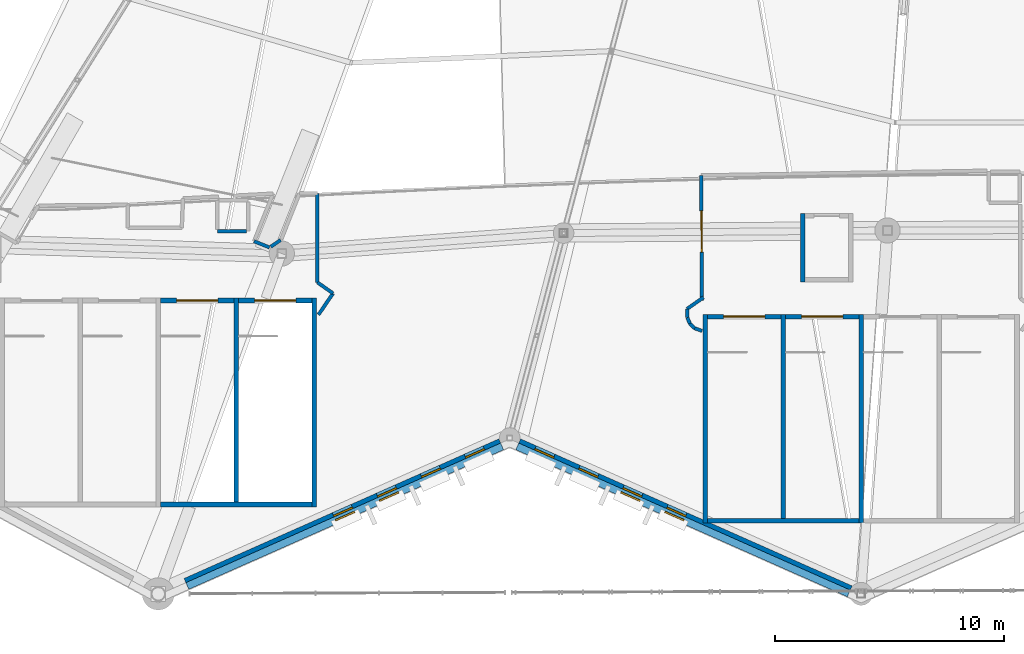
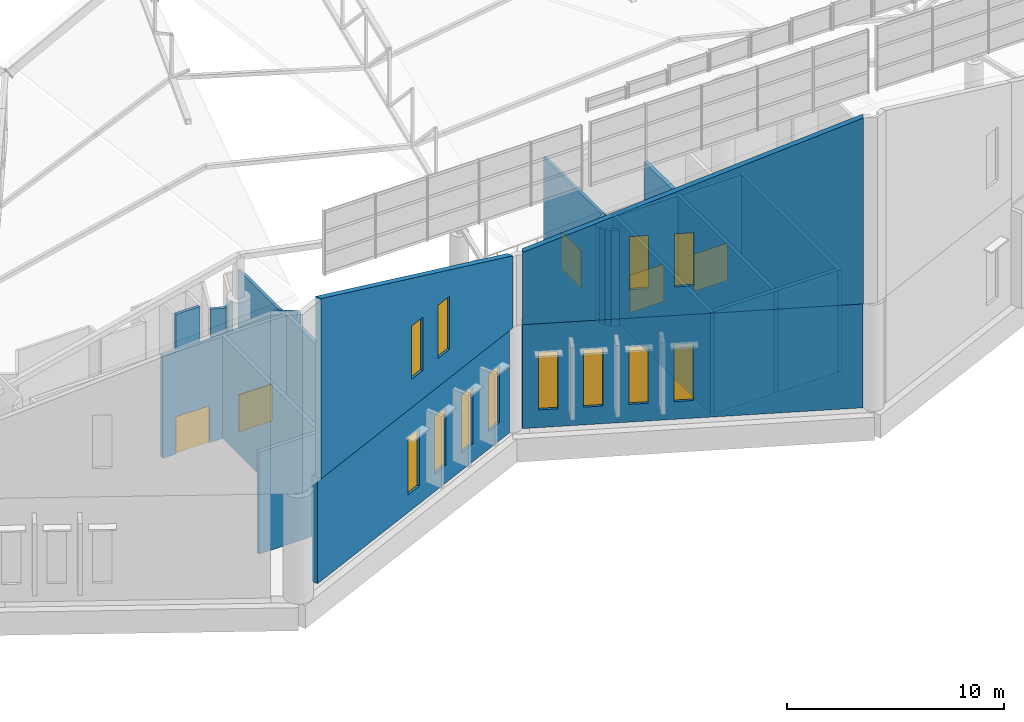
# One storey, part 247 of 344: 28 walls, 12 windows, 5 doors, 17 openings.
"""IFC4 building model written with IfcOpenShell, lengths in metres."""

from ifc_helpers import new_model, si_unit, direction, frame, frame_2d, origin, place, context, subcontext, project, spatial, polyline, rectangle, outline, extrude, material, layer, layer_set, type_object, element, fill, save


model = new_model("IFC4")

# Units and contexts
model_context = context("Model", 3, precision=1e-05, world=origin(), true_north=direction((0.0, 1.0)))
body_context = subcontext(model_context, "Body", "Model", "MODEL_VIEW")
ifc_project = project(units=[si_unit("LENGTHUNIT", "METRE"), si_unit("AREAUNIT", "SQUARE_METRE"), si_unit("VOLUMEUNIT", "CUBIC_METRE"), si_unit("PLANEANGLEUNIT", "RADIAN"), si_unit("MASSUNIT", "GRAM", prefix="KILO")], contexts=[model_context])

# Site, building, storey
site_placement = place(None, origin())
site = spatial("IfcSite", under=ifc_project, at=site_placement, CompositionType="ELEMENT")
building_placement = place(site_placement, origin())
building = spatial("IfcBuilding", under=site, at=building_placement, Name="Meseta Stadium", CompositionType="ELEMENT")
storey_placement = place(building_placement, frame((0.0, 0.0, 24.0)))
storey = spatial("IfcBuildingStorey", under=building, at=storey_placement, Name="L04", CompositionType="ELEMENT", Elevation=24.0)

# Walls
ifc_material_1 = material(Name="Concrete C40/50", Category="concrete")
ifc_layer_1 = layer(ifc_material_1, 0.199951171875)
ifc_layer_set_1 = layer_set([ifc_layer_1], Name="Core divider wall 200")
wall_type_1 = type_object("IfcWallType", Name="Core divider wall 200", PredefinedType="SHEAR", material=ifc_layer_set_1)
for number, where, z_axis, x_axis, name in (
    (1, (-34.933349609375, -101.60009765625, 0.0), (0.0, 0.0, 1.0), (0.0, 1.0, 0.0), "Core 23 L04 stair B divider wall"),
    (2, (-11.066650390625, -102.300048828125, 0.0), (0.0, 0.0, 1.0), (0.0, 1.0, 0.0), "Core 24 L04 stair A divider wall"),
):
    element("IfcWall", number, at=place(storey_placement, frame(where, z_axis=z_axis, x_axis=x_axis)), inside=storey, type_object=wall_type_1, Name=name, PredefinedType="SHEAR", context=body_context, shape_type="SweptSolid", body=[
        extrude(rectangle(XDim=9.10009765625, YDim=0.199951171875, at=frame_2d((4.550048828125, 0.0))), origin(), (0.0, 0.0, 1.0), 5.75),
    ])
ifc_material_2 = material(Name="Concrete C40/50", Category="concrete")
ifc_layer_2 = layer(ifc_material_2, 0.199951171875)
ifc_layer_set_2 = layer_set([ifc_layer_2], Name="Core shaft wall 200")
wall_type_2 = type_object("IfcWallType", Name="Core shaft wall 200", PredefinedType="SHEAR", material=ifc_layer_set_2)
wall_1_placement = place(storey_placement, frame((-31.533203125, -101.60009765625, 0.0), z_axis=(0.0, 0.0, 1.0), x_axis=(0.0, 1.0, 0.0)))
element("IfcWall", 3, at=wall_1_placement, inside=storey, type_object=wall_type_2, Name="Core 23 L04 stair wall B-side", PredefinedType="SHEAR", context=body_context, shape_type="SweptSolid", body=[
    extrude(rectangle(XDim=9.10009765625, YDim=0.199951171875, at=frame_2d((4.550048828125, 0.0))), origin(), (0.0, 0.0, 1.0), 5.75),
])
wall_2_placement = place(storey_placement, frame((-38.2333984375, -101.5, 0.0), z_axis=(0.0, 0.0, 1.0), x_axis=(1.0, 0.0, 0.0)))
element("IfcWall", 4, at=wall_2_placement, inside=storey, type_object=wall_type_2, Name="Core 23 L04 stair B outer end wall", PredefinedType="SHEAR", context=body_context, shape_type="SweptSolid", body=[
    extrude(rectangle(XDim=6.60009765625, YDim=0.199951171875, at=frame_2d((3.300048828125, 0.0))), origin(), (0.0, 0.0, 1.0), 5.75),
])

# Wall, opening, door
wall_3_placement = place(storey_placement, frame((-38.2333984375, -92.60009765625, 0.0), z_axis=(0.0, 0.0, 1.0), x_axis=(1.0, 0.0, 0.0)))
wall_3 = element("IfcWall", 5, at=wall_3_placement, inside=storey, type_object=wall_type_2, Name="Core 23 L04 stair B1 inner end wall", PredefinedType="SHEAR", context=body_context, shape_type="SweptSolid", body=[
    extrude(rectangle(XDim=3.2001953125, YDim=0.199951171875, at=frame_2d((1.60009765625, 0.0))), origin(), (0.0, 0.0, 1.0), 5.75),
])
opening_1_placement = place(wall_3_placement, frame((0.699951171875, 0.0, 0.0)))
opening_1 = element("IfcOpeningElement", 6, at=opening_1_placement, cuts=wall_3, Name="Opening D1574", PredefinedType="OPENING", context=body_context, shape_type="SweptSolid", body=[
    extrude(rectangle(XDim=1.800048828125, YDim=2.10009765625, at=frame_2d((0.89990234375, 1.050048828125))), frame((0.0, 0.10986328125, 0.0), z_axis=(0.0, -1.0, 0.0), x_axis=(1.0, 0.0, 0.0)), (0.0, 0.0, 1.0), 0.219970703125),
])
ifc_material_3 = material(Name="Steel", Category="steel")
door_type_1 = type_object("IfcDoorType", Name="Stair door 1800x2100", OperationType="DOUBLE_DOOR_SINGLE_SWING", PredefinedType="DOOR", material=ifc_material_3)
door_1_placement = place(opening_1_placement, origin())
door_1 = element("IfcDoor", 7, at=door_1_placement, inside=storey, type_object=door_type_1, Name="Stair B1 door 23 L04", OperationType="DOUBLE_DOOR_SINGLE_SWING", OverallHeight=2.10009765625, OverallWidth=1.800048828125, PredefinedType="DOOR", context=body_context, shape_type="SweptSolid", body=[
    extrude(rectangle(XDim=1.800048828125, YDim=2.10009765625, at=frame_2d((0.89990234375, 1.050048828125))), frame((0.0, 0.02490234375, 0.0), z_axis=(0.0, -1.0, 0.0), x_axis=(1.0, 0.0, 0.0)), (0.0, 0.0, 1.0), 0.050048828125),
])
fill(opening_1, door_1)

wall_4_placement = place(storey_placement, frame((-34.833251953125, -92.60009765625, 0.0), z_axis=(0.0, 0.0, 1.0), x_axis=(1.0, 0.0, 0.0)))
wall_4 = element("IfcWall", 8, at=wall_4_placement, inside=storey, type_object=wall_type_2, Name="Core 23 L04 stair B2 inner end wall", PredefinedType="SHEAR", context=body_context, shape_type="SweptSolid", body=[
    extrude(rectangle(XDim=3.199951171875, YDim=0.199951171875, at=frame_2d((1.60009765625, 0.0))), origin(), (0.0, 0.0, 1.0), 5.75),
])
opening_2_placement = place(wall_4_placement, frame((0.699951171875, 0.0, 0.0)))
opening_2 = element("IfcOpeningElement", 9, at=opening_2_placement, cuts=wall_4, Name="Opening D1576", PredefinedType="OPENING", context=body_context, shape_type="SweptSolid", body=[
    extrude(rectangle(XDim=1.800048828125, YDim=2.10009765625, at=frame_2d((0.89990234375, 1.050048828125))), frame((0.0, 0.10986328125, 0.0), z_axis=(0.0, -1.0, 0.0), x_axis=(1.0, 0.0, 0.0)), (0.0, 0.0, 1.0), 0.219970703125),
])
door_2_placement = place(opening_2_placement, origin())
door_2 = element("IfcDoor", 10, at=door_2_placement, inside=storey, type_object=door_type_1, Name="Stair B2 door 23 L04", OperationType="DOUBLE_DOOR_SINGLE_SWING", OverallHeight=2.10009765625, OverallWidth=1.800048828125, PredefinedType="DOOR", context=body_context, shape_type="SweptSolid", body=[
    extrude(rectangle(XDim=1.800048828125, YDim=2.10009765625, at=frame_2d((0.89990234375, 1.050048828125))), frame((0.0, 0.02490234375, 0.0), z_axis=(0.0, -1.0, 0.0), x_axis=(1.0, 0.0, 0.0)), (0.0, 0.0, 1.0), 0.050048828125),
])
fill(opening_2, door_2)

# Walls
for number, where, z_axis, x_axis, name in (
    (11, (-14.466796875, -102.300048828125, 0.0), (0.0, 0.0, 1.0), (0.0, 1.0, 0.0), "Core 24 L04 stair wall A-side"),
    (12, (-7.666748046875, -102.300048828125, 0.0), (0.0, 0.0, 1.0), (0.0, 1.0, 0.0), "Core 24 L04 stair wall shared"),
):
    element("IfcWall", number, at=place(storey_placement, frame(where, z_axis=z_axis, x_axis=x_axis)), inside=storey, type_object=wall_type_2, Name=name, PredefinedType="SHEAR", context=body_context, shape_type="SweptSolid", body=[
        extrude(rectangle(XDim=9.10009765625, YDim=0.199951171875, at=frame_2d((4.550048828125, 0.0))), origin(), (0.0, 0.0, 1.0), 5.75),
    ])
wall_5_placement = place(storey_placement, frame((-14.36669921875, -102.199951171875, 0.0), z_axis=(0.0, 0.0, 1.0), x_axis=(1.0, 0.0, 0.0)))
element("IfcWall", 13, at=wall_5_placement, inside=storey, type_object=wall_type_2, Name="Core 24 L04 stair A outer end wall", PredefinedType="SHEAR", context=body_context, shape_type="SweptSolid", body=[
    extrude(rectangle(XDim=6.60009765625, YDim=0.199951171875, at=frame_2d((3.300048828125, 0.0))), origin(), (0.0, 0.0, 1.0), 5.75),
])

# Wall, opening, door
wall_6_placement = place(storey_placement, frame((-14.36669921875, -93.300048828125, 0.0), z_axis=(0.0, 0.0, 1.0), x_axis=(1.0, 0.0, 0.0)))
wall_6 = element("IfcWall", 14, at=wall_6_placement, inside=storey, type_object=wall_type_2, Name="Core 24 L04 stair A1 inner end wall", PredefinedType="SHEAR", context=body_context, shape_type="SweptSolid", body=[
    extrude(rectangle(XDim=3.199951171875, YDim=0.199951171875, at=frame_2d((1.60009765625, 0.0))), origin(), (0.0, 0.0, 1.0), 5.75),
])
opening_3_placement = place(wall_6_placement, frame((0.699951171875, 0.0, 0.0)))
opening_3 = element("IfcOpeningElement", 15, at=opening_3_placement, cuts=wall_6, Name="Opening D1584", PredefinedType="OPENING", context=body_context, shape_type="SweptSolid", body=[
    extrude(rectangle(XDim=1.800048828125, YDim=2.10009765625, at=frame_2d((0.89990234375, 1.050048828125))), frame((0.0, 0.10986328125, 0.0), z_axis=(0.0, -1.0, 0.0), x_axis=(1.0, 0.0, 0.0)), (0.0, 0.0, 1.0), 0.219970703125),
])
door_3_placement = place(opening_3_placement, origin())
door_3 = element("IfcDoor", 16, at=door_3_placement, inside=storey, type_object=door_type_1, Name="Stair A1 door 24 L04", OperationType="DOUBLE_DOOR_SINGLE_SWING", OverallHeight=2.10009765625, OverallWidth=1.800048828125, PredefinedType="DOOR", context=body_context, shape_type="SweptSolid", body=[
    extrude(rectangle(XDim=1.800048828125, YDim=2.10009765625, at=frame_2d((0.89990234375, 1.050048828125))), frame((0.0, 0.02490234375, 0.0), z_axis=(0.0, -1.0, 0.0), x_axis=(1.0, 0.0, 0.0)), (0.0, 0.0, 1.0), 0.050048828125),
])
fill(opening_3, door_3)

wall_7_placement = place(storey_placement, frame((-10.966796875, -93.300048828125, 0.0), z_axis=(0.0, 0.0, 1.0), x_axis=(1.0, 0.0, 0.0)))
wall_7 = element("IfcWall", 17, at=wall_7_placement, inside=storey, type_object=wall_type_2, Name="Core 24 L04 stair A2 inner end wall", PredefinedType="SHEAR", context=body_context, shape_type="SweptSolid", body=[
    extrude(rectangle(XDim=3.2001953125, YDim=0.199951171875, at=frame_2d((1.60009765625, 0.0))), origin(), (0.0, 0.0, 1.0), 5.75),
])
opening_4_placement = place(wall_7_placement, frame((0.699951171875, 0.0, 0.0)))
opening_4 = element("IfcOpeningElement", 18, at=opening_4_placement, cuts=wall_7, Name="Opening D1585", PredefinedType="OPENING", context=body_context, shape_type="SweptSolid", body=[
    extrude(rectangle(XDim=1.800048828125, YDim=2.10009765625, at=frame_2d((0.89990234375, 1.050048828125))), frame((0.0, 0.10986328125, 0.0), z_axis=(0.0, -1.0, 0.0), x_axis=(1.0, 0.0, 0.0)), (0.0, 0.0, 1.0), 0.219970703125),
])
door_4_placement = place(opening_4_placement, origin())
door_4 = element("IfcDoor", 19, at=door_4_placement, inside=storey, type_object=door_type_1, Name="Stair A2 door 24 L04", OperationType="DOUBLE_DOOR_SINGLE_SWING", OverallHeight=2.10009765625, OverallWidth=1.800048828125, PredefinedType="DOOR", context=body_context, shape_type="SweptSolid", body=[
    extrude(rectangle(XDim=1.800048828125, YDim=2.10009765625, at=frame_2d((0.89990234375, 1.050048828125))), frame((0.0, 0.02490234375, 0.0), z_axis=(0.0, -1.0, 0.0), x_axis=(1.0, 0.0, 0.0)), (0.0, 0.0, 1.0), 0.050048828125),
])
fill(opening_4, door_4)

# Walls
wall_8_placement = place(storey_placement, frame((-10.216796875, -91.800048828125, 0.0), z_axis=(0.0, 0.0, 1.0), x_axis=(0.0, 1.0, 0.0)))
element("IfcWall", 20, at=wall_8_placement, inside=storey, type_object=wall_type_2, Name="Core 24 L04 lift shaft wall left", PredefinedType="SHEAR", context=body_context, shape_type="SweptSolid", body=[
    extrude(rectangle(XDim=3.0, YDim=0.199951171875, at=frame_2d((1.5, 0.0))), origin(), (0.0, 0.0, 1.0), 4.60009765625),
])
ifc_material_4 = material(Name="Masonry blockwork", Category="masonry")
ifc_layer_3 = layer(ifc_material_4, 0.14990234375)
ifc_layer_set_3 = layer_set([ifc_layer_3], Name="Partition 150")
wall_type_3 = type_object("IfcWallType", Name="Partition 150", PredefinedType="PARTITIONING", material=ifc_layer_set_3)
wall_9_placement = place(storey_placement, frame((-35.75830078125, -89.576171875, 0.0), z_axis=(0.0, 0.0, 1.0), x_axis=(1.0, 0.0, 0.0)))
element("IfcWall", 21, at=wall_9_placement, inside=storey, type_object=wall_type_3, Name="Pressurisation shaft wall L04 core 23", PredefinedType="PARTITIONING", context=body_context, shape_type="SweptSolid", body=[
    extrude(rectangle(XDim=1.27490234375, YDim=0.14990234375, at=frame_2d((0.637451171875, 0.0))), origin(), (0.0, 0.0, 1.0), 5.39990234375),
])
wall_10_placement = place(storey_placement, frame((-31.34375, -93.2197265625, 0.0), z_axis=(0.0, 0.0, 1.0), x_axis=(0.562120553728, 0.827055308354, 0.0)))
element("IfcWall", 22, at=wall_10_placement, inside=storey, type_object=wall_type_3, Name="Stair vestibule wall L04 core 23", PredefinedType="PARTITIONING", context=body_context, shape_type="SweptSolid", body=[
    extrude(rectangle(XDim=1.1279296875, YDim=0.14990234375, at=frame_2d((0.56396484375, 0.0))), origin(), (0.0, 0.0, 1.0), 5.39990234375),
])
wall_11_placement = place(storey_placement, frame((-30.709716796875, -92.286865234375, 0.0), z_axis=(0.0, 0.0, 1.0), x_axis=(-0.817888493872, 0.575376756214, 0.0)))
element("IfcWall", 23, at=wall_11_placement, inside=storey, type_object=wall_type_3, Name="Stair vestibule wall L04 core 23", PredefinedType="PARTITIONING", context=body_context, shape_type="SweptSolid", body=[
    extrude(rectangle(XDim=0.82958984375, YDim=0.14990234375, at=frame_2d((0.414794921875, 0.0))), origin(), (0.0, 0.0, 1.0), 5.39990234375),
])
wall_12_placement = place(storey_placement, frame((-31.38818359375, -91.8095703125, 0.0), z_axis=(0.0, 0.0, 1.0), x_axis=(0.0, 1.0, 0.0)))
element("IfcWall", 24, at=wall_12_placement, inside=storey, type_object=wall_type_3, Name="Stair vestibule wall L04 core 23", PredefinedType="PARTITIONING", context=body_context, shape_type="SweptSolid", body=[
    extrude(rectangle(XDim=3.884521484375, YDim=0.14990234375, at=frame_2d((1.9423828125, 0.0))), origin(), (0.0, 0.0, 1.0), 5.39990234375),
])
wall_13_placement = place(storey_placement, frame((-33.4833984375, -90.281005859375, 0.0), z_axis=(0.0, 0.0, 1.0), x_axis=(-0.929154097391, 0.369692660599, 0.0)))
element("IfcWall", 25, at=wall_13_placement, inside=storey, type_object=wall_type_3, Name="Stair vestibule wall L04 core 23", PredefinedType="PARTITIONING", context=body_context, shape_type="SweptSolid", body=[
    extrude(rectangle(XDim=0.71923828125, YDim=0.14990234375, at=frame_2d((0.359619140625, 0.0))), origin(), (0.0, 0.0, 1.0), 5.39990234375),
])
wall_14_placement = place(storey_placement, frame((-32.994384765625, -89.960693359375, 0.0), z_axis=(0.0, 0.0, 1.0), x_axis=(-0.828430407169, -0.560092010726, 0.0)))
element("IfcWall", 26, at=wall_14_placement, inside=storey, type_object=wall_type_3, Name="Stair vestibule wall L04 core 23", PredefinedType="PARTITIONING", context=body_context, shape_type="SweptSolid", body=[
    extrude(rectangle(XDim=0.521240234375, YDim=0.14990234375, at=frame_2d((0.2607421875, 0.0))), origin(), (0.0, 0.0, 1.0), 5.39990234375),
])
wall_15_placement = place(storey_placement, frame((-14.547119140625, -92.4638671875, 0.0), z_axis=(0.0, 0.0, 1.0), x_axis=(-0.817670329912, -0.57568674779, 0.0)))
element("IfcWall", 27, at=wall_15_placement, inside=storey, type_object=wall_type_3, Name="Stair vestibule wall L04 core 24", PredefinedType="PARTITIONING", context=body_context, shape_type="SweptSolid", body=[
    extrude(rectangle(XDim=0.875732421875, YDim=0.14990234375, at=frame_2d((0.43798828125, 0.0))), origin(), (0.0, 0.0, 1.0), 5.39990234375),
])
wall_16_placement = place(storey_placement, frame((-15.26318359375, -92.968017578125, 0.0), z_axis=(0.0, 0.0, 1.0), x_axis=(0.039007374993, -0.999238922729, 0.0)))
element("IfcWall", 28, at=wall_16_placement, inside=storey, type_object=wall_type_3, Name="Stair vestibule wall L04 core 24", PredefinedType="PARTITIONING", context=body_context, shape_type="SweptSolid", body=[
    extrude(rectangle(XDim=0.37548828125, YDim=0.14990234375, at=frame_2d((0.187744140625, 0.0))), origin(), (0.0, 0.0, 1.0), 5.39990234375),
])
wall_17_placement = place(storey_placement, frame((-15.24853515625, -93.34326171875, 0.0), z_axis=(0.0, 0.0, 1.0), x_axis=(0.382275228123, -0.924048510611, 0.0)))
element("IfcWall", 29, at=wall_17_placement, inside=storey, type_object=wall_type_3, Name="Stair vestibule wall L04 core 24", PredefinedType="PARTITIONING", context=body_context, shape_type="SweptSolid", body=[
    extrude(rectangle(XDim=0.28173828125, YDim=0.14990234375, at=frame_2d((0.140869140625, 0.0))), origin(), (0.0, 0.0, 1.0), 5.39990234375),
])
wall_18_placement = place(storey_placement, frame((-15.140869140625, -93.603515625, 0.0), z_axis=(0.0, 0.0, 1.0), x_axis=(0.707106781187, -0.707106781187, 0.0)))
element("IfcWall", 30, at=wall_18_placement, inside=storey, type_object=wall_type_3, Name="Stair vestibule wall L04 core 24", PredefinedType="PARTITIONING", context=body_context, shape_type="SweptSolid", body=[
    extrude(rectangle(XDim=0.28515625, YDim=0.14990234375, at=frame_2d((0.142578125, 0.0))), origin(), (0.0, 0.0, 1.0), 5.39990234375),
])
wall_19_placement = place(storey_placement, frame((-14.939208984375, -93.80517578125, 0.0), z_axis=(0.0, 0.0, 1.0), x_axis=(0.937897537761, -0.346912393353, 0.0)))
element("IfcWall", 31, at=wall_19_placement, inside=storey, type_object=wall_type_3, Name="Stair vestibule wall L04 core 24", PredefinedType="PARTITIONING", context=body_context, shape_type="SweptSolid", body=[
    extrude(rectangle(XDim=0.356201171875, YDim=0.14990234375, at=frame_2d((0.17822265625, 0.0))), origin(), (0.0, 0.0, 1.0), 5.39990234375),
])

# Wall, opening, door
wall_20_placement = place(storey_placement, frame((-14.64208984375, -87.141845703125, 0.0), z_axis=(0.0, 0.0, 1.0), x_axis=(0.005602780728, -0.999984304301, 0.0)))
wall_20 = element("IfcWall", 32, at=wall_20_placement, inside=storey, type_object=wall_type_3, Name="Stair vestibule wall L04 core 24", PredefinedType="PARTITIONING", context=body_context, shape_type="SweptSolid", body=[
    extrude(rectangle(XDim=5.44677734375, YDim=0.14990234375, at=frame_2d((2.723388671875, 0.0))), origin(), (0.0, 0.0, 1.0), 5.39990234375),
])
opening_5_placement = place(wall_20_placement, frame((1.550048828125, 0.0, 0.0)))
opening_5 = element("IfcOpeningElement", 33, at=opening_5_placement, cuts=wall_20, Name="Opening D1583", PredefinedType="OPENING", context=body_context, shape_type="SweptSolid", body=[
    extrude(rectangle(XDim=1.800048828125, YDim=2.10009765625, at=frame_2d((0.89990234375, 1.050048828125))), frame((0.0, 0.0849609375, 0.0), z_axis=(0.0, -1.0, 0.0), x_axis=(1.0, 0.0, 0.0)), (0.0, 0.0, 1.0), 0.169921875),
])
ifc_material_5 = material(Name="Steel", Category="steel")
door_type_2 = type_object("IfcDoorType", Name="Fire double door 1800x2100 EI2 60", OperationType="DOUBLE_DOOR_SINGLE_SWING", PredefinedType="DOOR", material=ifc_material_5)
door_5_placement = place(opening_5_placement, origin())
door_5 = element("IfcDoor", 34, at=door_5_placement, inside=storey, type_object=door_type_2, Name="Stair vestibule door L04 core 24", OperationType="DOUBLE_DOOR_SINGLE_SWING", OverallHeight=2.10009765625, OverallWidth=1.800048828125, PredefinedType="DOOR", context=body_context, shape_type="SweptSolid", body=[
    extrude(rectangle(XDim=1.800048828125, YDim=2.10009765625, at=frame_2d((0.89990234375, 1.050048828125))), frame((0.0, 0.02490234375, 0.0), z_axis=(0.0, -1.0, 0.0), x_axis=(1.0, 0.0, 0.0)), (0.0, 0.0, 1.0), 0.050048828125),
])
fill(opening_5, door_5)

# Wall, openings, windows
ifc_material_6 = material(Name="White precast concrete C40/50", Category="concrete")
ifc_layer_4 = layer(ifc_material_6, 0.320068359375)
ifc_layer_set_4 = layer_set([ifc_layer_4], Name="Pleated fascia panel 320 raked")
wall_type_4 = type_object("IfcWallType", Name="Pleated fascia panel 320 raked", PredefinedType="SOLIDWALL", material=ifc_layer_set_4)
wall_21_placement = place(storey_placement, frame((-23.329833984375, -98.965087890625, 6.0), z_axis=(0.0, 0.0, 1.0), x_axis=(-0.914136899386, -0.405405635359, 0.0)))
wall_21 = element("IfcWall", 35, at=wall_21_placement, inside=storey, type_object=wall_type_4, Name="Pleated fascia panel L04 F44", PredefinedType="SOLIDWALL", context=body_context, shape_type="SweptSolid", body=[
    extrude(outline(polyline([(0.0, 0.0), (15.025146484375, 0.0), (15.025146484375, 10.16357421875), (0.0, 4.072265625), (0.0, 0.0)])), frame((0.0, 0.16015625, 0.0), z_axis=(0.0, -1.0, 0.0), x_axis=(1.0, 0.0, 0.0)), (0.0, 0.0, 1.0), 0.320068359375),
])
opening_6_placement = place(wall_21_placement, frame((4.950439453125, 0.0, 1.60009765625)))
opening_6 = element("IfcOpeningElement", 36, at=opening_6_placement, cuts=wall_21, Name="Opening W243", PredefinedType="OPENING", context=body_context, shape_type="SweptSolid", body=[
    extrude(rectangle(XDim=0.89990234375, YDim=3.0, at=frame_2d((0.449951171875, 1.5))), frame((0.0, 0.169921875, 0.0), z_axis=(0.0, -1.0, 0.0), x_axis=(1.0, 0.0, 0.0)), (0.0, 0.0, 1.0), 0.340087890625),
])
opening_7_placement = place(wall_21_placement, frame((7.05029296875, 0.0, 1.60009765625)))
opening_7 = element("IfcOpeningElement", 37, at=opening_7_placement, cuts=wall_21, Name="Opening W241", PredefinedType="OPENING", context=body_context, shape_type="SweptSolid", body=[
    extrude(rectangle(XDim=0.89990234375, YDim=3.0, at=frame_2d((0.449951171875, 1.5))), frame((0.0, 0.169921875, 0.0), z_axis=(0.0, -1.0, 0.0), x_axis=(1.0, 0.0, 0.0)), (0.0, 0.0, 1.0), 0.340087890625),
])
ifc_material_7 = material(Name="Aluminium", Category="aluminium")
window_type_1 = type_object("IfcWindowType", Name="Slot window 900x3000", PartitioningType="SINGLE_PANEL", PredefinedType="WINDOW", material=ifc_material_7)
window_1_placement = place(opening_6_placement, origin())
window_1 = element("IfcWindow", 38, at=window_1_placement, inside=storey, type_object=window_type_1, Name="Slot window L04 F44.3", OverallHeight=3.0, OverallWidth=0.89990234375, PartitioningType="SINGLE_PANEL", PredefinedType="WINDOW", context=body_context, shape_type="SweptSolid", body=[
    extrude(rectangle(XDim=0.89990234375, YDim=3.0, at=frame_2d((0.449951171875, 1.5))), frame((0.0, 0.030029296875, 0.0), z_axis=(0.0, -1.0, 0.0), x_axis=(1.0, 0.0, 0.0)), (0.0, 0.0, 1.0), 0.06005859375),
])
fill(opening_6, window_1)
window_2_placement = place(opening_7_placement, origin())
window_2 = element("IfcWindow", 39, at=window_2_placement, inside=storey, type_object=window_type_1, Name="Slot window L04 F44.4", OverallHeight=3.0, OverallWidth=0.89990234375, PartitioningType="SINGLE_PANEL", PredefinedType="WINDOW", context=body_context, shape_type="SweptSolid", body=[
    extrude(rectangle(XDim=0.89990234375, YDim=3.0, at=frame_2d((0.449951171875, 1.5))), frame((0.0, 0.030029296875, 0.0), z_axis=(0.0, -1.0, 0.0), x_axis=(1.0, 0.0, 0.0)), (0.0, 0.0, 1.0), 0.06005859375),
])
fill(opening_7, window_2)

wall_22_placement = place(storey_placement, frame((-8.204345703125, -105.38037109375, 6.0), z_axis=(0.0, 0.0, 1.0), x_axis=(-0.914138897099, 0.405401130748, 0.0)))
wall_22 = element("IfcWall", 40, at=wall_22_placement, inside=storey, type_object=wall_type_4, Name="Pleated fascia panel L04 F45", PredefinedType="SOLIDWALL", context=body_context, shape_type="SweptSolid", body=[
    extrude(outline(polyline([(0.0, 0.0), (15.824462890625, 0.0), (15.824462890625, 4.072265625), (0.0, 10.487548828125), (0.0, 0.0)])), frame((0.0, 0.16015625, 0.0), z_axis=(0.0, -1.0, 0.0), x_axis=(1.0, 0.0, 0.0)), (0.0, 0.0, 1.0), 0.320068359375),
])
opening_8_placement = place(wall_22_placement, frame((9.973876953125, 0.0, 1.60009765625)))
opening_8 = element("IfcOpeningElement", 41, at=opening_8_placement, cuts=wall_22, Name="Opening W248", PredefinedType="OPENING", context=body_context, shape_type="SweptSolid", body=[
    extrude(rectangle(XDim=0.89990234375, YDim=3.0, at=frame_2d((0.449951171875, 1.5))), frame((0.0, 0.169921875, 0.0), z_axis=(0.0, -1.0, 0.0), x_axis=(1.0, 0.0, 0.0)), (0.0, 0.0, 1.0), 0.340087890625),
])
opening_9_placement = place(wall_22_placement, frame((7.8740234375, 0.0, 1.60009765625)))
opening_9 = element("IfcOpeningElement", 42, at=opening_9_placement, cuts=wall_22, Name="Opening W250", PredefinedType="OPENING", context=body_context, shape_type="SweptSolid", body=[
    extrude(rectangle(XDim=0.89990234375, YDim=3.0, at=frame_2d((0.449951171875, 1.5))), frame((0.0, 0.169921875, 0.0), z_axis=(0.0, -1.0, 0.0), x_axis=(1.0, 0.0, 0.0)), (0.0, 0.0, 1.0), 0.340087890625),
])
window_3_placement = place(opening_8_placement, origin())
window_3 = element("IfcWindow", 43, at=window_3_placement, inside=storey, type_object=window_type_1, Name="Slot window L04 F45.3", OverallHeight=3.0, OverallWidth=0.89990234375, PartitioningType="SINGLE_PANEL", PredefinedType="WINDOW", context=body_context, shape_type="SweptSolid", body=[
    extrude(rectangle(XDim=0.89990234375, YDim=3.0, at=frame_2d((0.449951171875, 1.5))), frame((0.0, 0.030029296875, 0.0), z_axis=(0.0, -1.0, 0.0), x_axis=(1.0, 0.0, 0.0)), (0.0, 0.0, 1.0), 0.06005859375),
])
fill(opening_8, window_3)
window_4_placement = place(opening_9_placement, origin())
window_4 = element("IfcWindow", 44, at=window_4_placement, inside=storey, type_object=window_type_1, Name="Slot window L04 F45.4", OverallHeight=3.0, OverallWidth=0.89990234375, PartitioningType="SINGLE_PANEL", PredefinedType="WINDOW", context=body_context, shape_type="SweptSolid", body=[
    extrude(rectangle(XDim=0.89990234375, YDim=3.0, at=frame_2d((0.449951171875, 1.5))), frame((0.0, 0.030029296875, 0.0), z_axis=(0.0, -1.0, 0.0), x_axis=(1.0, 0.0, 0.0)), (0.0, 0.0, 1.0), 0.06005859375),
])
fill(opening_9, window_4)

ifc_material_8 = material(Name="White precast concrete C40/50", Category="concrete")
ifc_layer_5 = layer(ifc_material_8, 0.320068359375)
ifc_layer_set_5 = layer_set([ifc_layer_5], Name="Pleated panel wall 320")
wall_type_5 = type_object("IfcWallType", Name="Pleated panel wall 320", PredefinedType="SOLIDWALL", material=ifc_layer_set_5)
wall_23_placement = place(storey_placement, frame((-23.410888671875, -98.7822265625, 0.0), z_axis=(0.0, 0.0, 1.0), x_axis=(-0.914136899386, -0.405405635359, 0.0)))
wall_23 = element("IfcWall", 45, at=wall_23_placement, inside=storey, type_object=wall_type_5, Name="Pleated facade panel L04 F44", PredefinedType="SOLIDWALL", context=body_context, shape_type="SweptSolid", body=[
    extrude(rectangle(XDim=15.025146484375, YDim=0.320068359375, at=frame_2d((7.5126953125, 0.0))), origin(), (0.0, 0.0, 1.0), 6.0),
])
opening_10_placement = place(wall_23_placement, frame((0.75048828125, 0.0, 1.0)))
opening_10 = element("IfcOpeningElement", 46, at=opening_10_placement, cuts=wall_23, Name="Opening W245", PredefinedType="OPENING", context=body_context, shape_type="SweptSolid", body=[
    extrude(rectangle(XDim=0.89990234375, YDim=3.25, at=frame_2d((0.449951171875, 1.625))), frame((0.0, 0.169921875, 0.0), z_axis=(0.0, -1.0, 0.0), x_axis=(1.0, 0.0, 0.0)), (0.0, 0.0, 1.0), 0.340087890625),
])
opening_11_placement = place(wall_23_placement, frame((2.850341796875, 0.0, 1.0)))
opening_11 = element("IfcOpeningElement", 47, at=opening_11_placement, cuts=wall_23, Name="Opening W244", PredefinedType="OPENING", context=body_context, shape_type="SweptSolid", body=[
    extrude(rectangle(XDim=0.89990234375, YDim=3.25, at=frame_2d((0.449951171875, 1.625))), frame((0.0, 0.169921875, 0.0), z_axis=(0.0, -1.0, 0.0), x_axis=(1.0, 0.0, 0.0)), (0.0, 0.0, 1.0), 0.340087890625),
])
opening_12_placement = place(wall_23_placement, frame((4.950439453125, 0.0, 1.0)))
opening_12 = element("IfcOpeningElement", 48, at=opening_12_placement, cuts=wall_23, Name="Opening W242", PredefinedType="OPENING", context=body_context, shape_type="SweptSolid", body=[
    extrude(rectangle(XDim=0.89990234375, YDim=3.25, at=frame_2d((0.449951171875, 1.625))), frame((0.0, 0.169921875, 0.0), z_axis=(0.0, -1.0, 0.0), x_axis=(1.0, 0.0, 0.0)), (0.0, 0.0, 1.0), 0.340087890625),
])
opening_13_placement = place(wall_23_placement, frame((7.05029296875, 0.0, 1.0)))
opening_13 = element("IfcOpeningElement", 49, at=opening_13_placement, cuts=wall_23, Name="Opening W240", PredefinedType="OPENING", context=body_context, shape_type="SweptSolid", body=[
    extrude(rectangle(XDim=0.89990234375, YDim=3.25, at=frame_2d((0.449951171875, 1.625))), frame((0.0, 0.169921875, 0.0), z_axis=(0.0, -1.0, 0.0), x_axis=(1.0, 0.0, 0.0)), (0.0, 0.0, 1.0), 0.340087890625),
])
ifc_material_9 = material(Name="Aluminium", Category="aluminium")
window_type_2 = type_object("IfcWindowType", Name="Slot window 900x3250", PartitioningType="SINGLE_PANEL", PredefinedType="WINDOW", material=ifc_material_9)
window_5_placement = place(opening_10_placement, origin())
window_5 = element("IfcWindow", 50, at=window_5_placement, inside=storey, type_object=window_type_2, Name="Slot window L04 F44.1", OverallHeight=3.25, OverallWidth=0.89990234375, PartitioningType="SINGLE_PANEL", PredefinedType="WINDOW", context=body_context, shape_type="SweptSolid", body=[
    extrude(rectangle(XDim=0.89990234375, YDim=3.25, at=frame_2d((0.449951171875, 1.625))), frame((0.0, 0.030029296875, 0.0), z_axis=(0.0, -1.0, 0.0), x_axis=(1.0, 0.0, 0.0)), (0.0, 0.0, 1.0), 0.06005859375),
])
fill(opening_10, window_5)
window_6_placement = place(opening_11_placement, origin())
window_6 = element("IfcWindow", 51, at=window_6_placement, inside=storey, type_object=window_type_2, Name="Slot window L04 F44.2", OverallHeight=3.25, OverallWidth=0.89990234375, PartitioningType="SINGLE_PANEL", PredefinedType="WINDOW", context=body_context, shape_type="SweptSolid", body=[
    extrude(rectangle(XDim=0.89990234375, YDim=3.25, at=frame_2d((0.449951171875, 1.625))), frame((0.0, 0.030029296875, 0.0), z_axis=(0.0, -1.0, 0.0), x_axis=(1.0, 0.0, 0.0)), (0.0, 0.0, 1.0), 0.06005859375),
])
fill(opening_11, window_6)
window_7_placement = place(opening_12_placement, origin())
window_7 = element("IfcWindow", 52, at=window_7_placement, inside=storey, type_object=window_type_2, Name="Slot window L04 F44.3", OverallHeight=3.25, OverallWidth=0.89990234375, PartitioningType="SINGLE_PANEL", PredefinedType="WINDOW", context=body_context, shape_type="SweptSolid", body=[
    extrude(rectangle(XDim=0.89990234375, YDim=3.25, at=frame_2d((0.449951171875, 1.625))), frame((0.0, 0.030029296875, 0.0), z_axis=(0.0, -1.0, 0.0), x_axis=(1.0, 0.0, 0.0)), (0.0, 0.0, 1.0), 0.06005859375),
])
fill(opening_12, window_7)
window_8_placement = place(opening_13_placement, origin())
window_8 = element("IfcWindow", 53, at=window_8_placement, inside=storey, type_object=window_type_2, Name="Slot window L04 F44.4", OverallHeight=3.25, OverallWidth=0.89990234375, PartitioningType="SINGLE_PANEL", PredefinedType="WINDOW", context=body_context, shape_type="SweptSolid", body=[
    extrude(rectangle(XDim=0.89990234375, YDim=3.25, at=frame_2d((0.449951171875, 1.625))), frame((0.0, 0.030029296875, 0.0), z_axis=(0.0, -1.0, 0.0), x_axis=(1.0, 0.0, 0.0)), (0.0, 0.0, 1.0), 0.06005859375),
])
fill(opening_13, window_8)

wall_24_placement = place(storey_placement, frame((-8.123291015625, -105.197509765625, 0.0), z_axis=(0.0, 0.0, 1.0), x_axis=(-0.914138897099, 0.405401130748, 0.0)))
wall_24 = element("IfcWall", 54, at=wall_24_placement, inside=storey, type_object=wall_type_5, Name="Pleated facade panel L04 F45", PredefinedType="SOLIDWALL", context=body_context, shape_type="SweptSolid", body=[
    extrude(rectangle(XDim=15.824462890625, YDim=0.320068359375, at=frame_2d((7.912109375, 0.0))), origin(), (0.0, 0.0, 1.0), 6.0),
])
opening_14_placement = place(wall_24_placement, frame((14.174072265625, 0.0, 1.0)))
opening_14 = element("IfcOpeningElement", 55, at=opening_14_placement, cuts=wall_24, Name="Opening W246", PredefinedType="OPENING", context=body_context, shape_type="SweptSolid", body=[
    extrude(rectangle(XDim=0.89990234375, YDim=3.25, at=frame_2d((0.449951171875, 1.625))), frame((0.0, 0.169921875, 0.0), z_axis=(0.0, -1.0, 0.0), x_axis=(1.0, 0.0, 0.0)), (0.0, 0.0, 1.0), 0.340087890625),
])
opening_15_placement = place(wall_24_placement, frame((12.073974609375, 0.0, 1.0)))
opening_15 = element("IfcOpeningElement", 56, at=opening_15_placement, cuts=wall_24, Name="Opening W247", PredefinedType="OPENING", context=body_context, shape_type="SweptSolid", body=[
    extrude(rectangle(XDim=0.89990234375, YDim=3.25, at=frame_2d((0.449951171875, 1.625))), frame((0.0, 0.169921875, 0.0), z_axis=(0.0, -1.0, 0.0), x_axis=(1.0, 0.0, 0.0)), (0.0, 0.0, 1.0), 0.340087890625),
])
opening_16_placement = place(wall_24_placement, frame((9.973876953125, 0.0, 1.0)))
opening_16 = element("IfcOpeningElement", 57, at=opening_16_placement, cuts=wall_24, Name="Opening W249", PredefinedType="OPENING", context=body_context, shape_type="SweptSolid", body=[
    extrude(rectangle(XDim=0.89990234375, YDim=3.25, at=frame_2d((0.449951171875, 1.625))), frame((0.0, 0.169921875, 0.0), z_axis=(0.0, -1.0, 0.0), x_axis=(1.0, 0.0, 0.0)), (0.0, 0.0, 1.0), 0.340087890625),
])
opening_17_placement = place(wall_24_placement, frame((7.8740234375, 0.0, 1.0)))
opening_17 = element("IfcOpeningElement", 58, at=opening_17_placement, cuts=wall_24, Name="Opening W251", PredefinedType="OPENING", context=body_context, shape_type="SweptSolid", body=[
    extrude(rectangle(XDim=0.89990234375, YDim=3.25, at=frame_2d((0.449951171875, 1.625))), frame((0.0, 0.169921875, 0.0), z_axis=(0.0, -1.0, 0.0), x_axis=(1.0, 0.0, 0.0)), (0.0, 0.0, 1.0), 0.340087890625),
])
window_9_placement = place(opening_14_placement, origin())
window_9 = element("IfcWindow", 59, at=window_9_placement, inside=storey, type_object=window_type_2, Name="Slot window L04 F45.1", OverallHeight=3.25, OverallWidth=0.89990234375, PartitioningType="SINGLE_PANEL", PredefinedType="WINDOW", context=body_context, shape_type="SweptSolid", body=[
    extrude(rectangle(XDim=0.89990234375, YDim=3.25, at=frame_2d((0.449951171875, 1.625))), frame((0.0, 0.030029296875, 0.0), z_axis=(0.0, -1.0, 0.0), x_axis=(1.0, 0.0, 0.0)), (0.0, 0.0, 1.0), 0.06005859375),
])
fill(opening_14, window_9)
window_10_placement = place(opening_15_placement, origin())
window_10 = element("IfcWindow", 60, at=window_10_placement, inside=storey, type_object=window_type_2, Name="Slot window L04 F45.2", OverallHeight=3.25, OverallWidth=0.89990234375, PartitioningType="SINGLE_PANEL", PredefinedType="WINDOW", context=body_context, shape_type="SweptSolid", body=[
    extrude(rectangle(XDim=0.89990234375, YDim=3.25, at=frame_2d((0.449951171875, 1.625))), frame((0.0, 0.030029296875, 0.0), z_axis=(0.0, -1.0, 0.0), x_axis=(1.0, 0.0, 0.0)), (0.0, 0.0, 1.0), 0.06005859375),
])
fill(opening_15, window_10)
window_11_placement = place(opening_16_placement, origin())
window_11 = element("IfcWindow", 61, at=window_11_placement, inside=storey, type_object=window_type_2, Name="Slot window L04 F45.3", OverallHeight=3.25, OverallWidth=0.89990234375, PartitioningType="SINGLE_PANEL", PredefinedType="WINDOW", context=body_context, shape_type="SweptSolid", body=[
    extrude(rectangle(XDim=0.89990234375, YDim=3.25, at=frame_2d((0.449951171875, 1.625))), frame((0.0, 0.030029296875, 0.0), z_axis=(0.0, -1.0, 0.0), x_axis=(1.0, 0.0, 0.0)), (0.0, 0.0, 1.0), 0.06005859375),
])
fill(opening_16, window_11)
window_12_placement = place(opening_17_placement, origin())
window_12 = element("IfcWindow", 62, at=window_12_placement, inside=storey, type_object=window_type_2, Name="Slot window L04 F45.4", OverallHeight=3.25, OverallWidth=0.89990234375, PartitioningType="SINGLE_PANEL", PredefinedType="WINDOW", context=body_context, shape_type="SweptSolid", body=[
    extrude(rectangle(XDim=0.89990234375, YDim=3.25, at=frame_2d((0.449951171875, 1.625))), frame((0.0, 0.030029296875, 0.0), z_axis=(0.0, -1.0, 0.0), x_axis=(1.0, 0.0, 0.0)), (0.0, 0.0, 1.0), 0.06005859375),
])
fill(opening_17, window_12)

save(model, "model.ifc")
